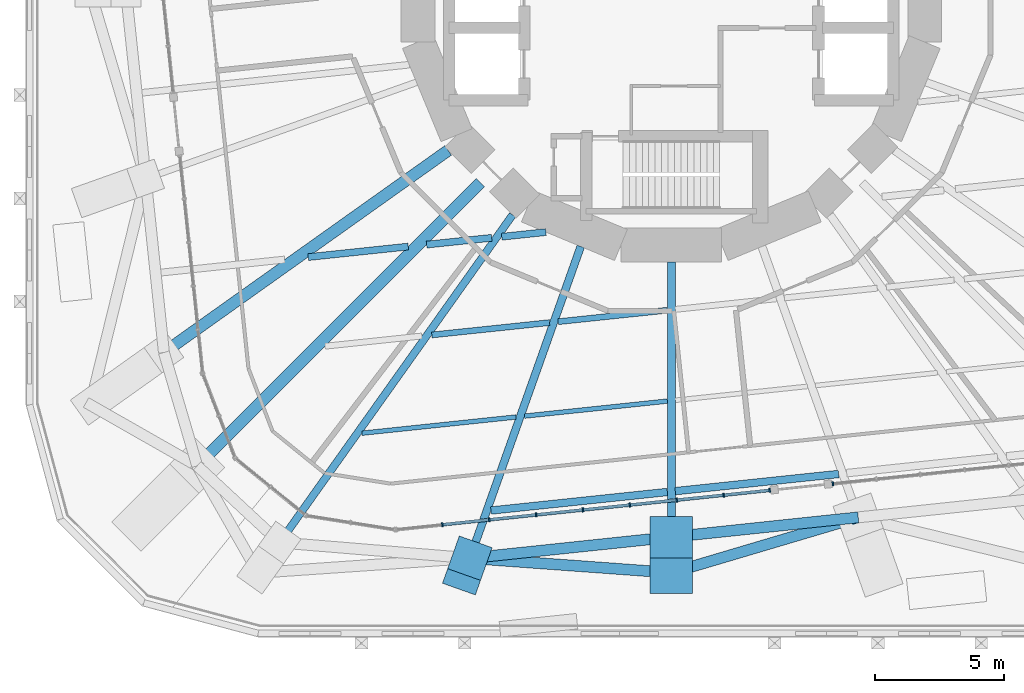
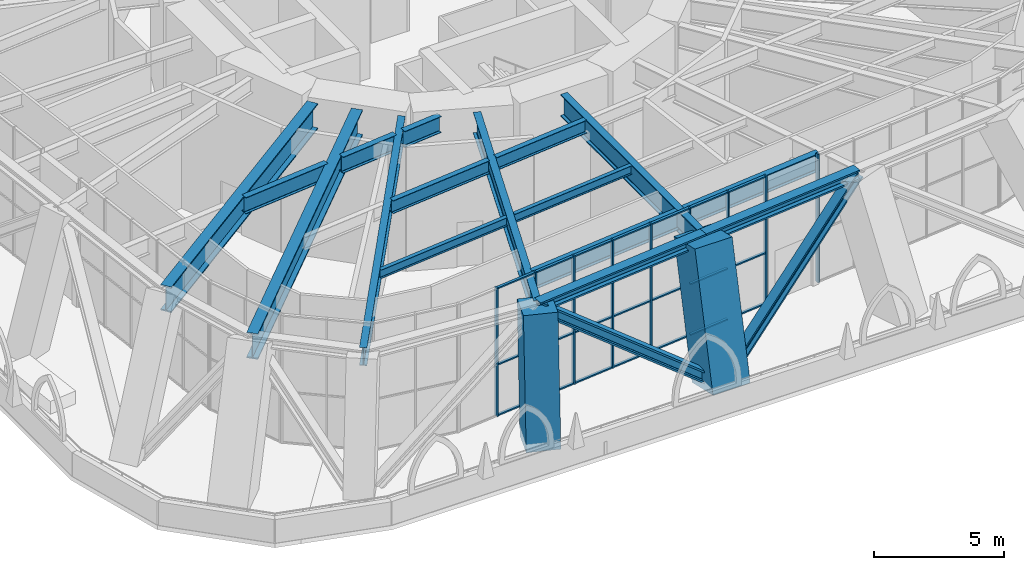
# One storey, part 2 of 20: 36 members, 14 beams, 2 elements without a shape of their own.
"""IFC4 building model written with IfcOpenShell, lengths in metres."""

from ifc_helpers import new_model, si_unit, direction, frame, origin, origin_2d, place, context, subcontext, project, spatial, rectangle, i_section, extrude, material, material_profile, profile_set, type_object, element, aggregate, save


model = new_model("IFC4")

# Units and contexts
model_context = context("Model", 3, precision=1e-05, world=origin(), true_north=direction((0.0, 1.0)))
body_context = subcontext(model_context, "Body", "Model", "MODEL_VIEW")
ifc_project = project(units=[si_unit("LENGTHUNIT", "METRE"), si_unit("AREAUNIT", "SQUARE_METRE"), si_unit("VOLUMEUNIT", "CUBIC_METRE"), si_unit("PLANEANGLEUNIT", "RADIAN"), si_unit("MASSUNIT", "GRAM", prefix="KILO")], contexts=[model_context])

# Site, building, storey
site_placement = place(None, origin())
site = spatial("IfcSite", under=ifc_project, at=site_placement, CompositionType="ELEMENT")
building_placement = place(site_placement, origin())
building = spatial("IfcBuilding", under=site, at=building_placement, Name="Nakasero Lantern House", CompositionType="ELEMENT")
storey_placement = place(building_placement, frame((0.0, 0.0, 54.5)))
storey = spatial("IfcBuildingStorey", under=building, at=storey_placement, Name="L13", CompositionType="ELEMENT", Elevation=54.5)

# Members
ifc_material_1 = material(Name="Steel S355", Category="steel")
ifc_material_profile_1 = material_profile(ifc_material_1, i_section(OverallWidth=0.424072265625, OverallDepth=0.474609375, WebThickness=0.047607421875, FlangeThickness=0.076904296875, FilletRadius=0.01513671875, at=origin_2d()), Name="UC 356x406x634")
ifc_profile_set_1 = profile_set([ifc_material_profile_1], Name="Steel S355")
member_type_1 = type_object("IfcMemberType", Name="Belt truss chord UC 356x406x634", PredefinedType="CHORD", material=ifc_profile_set_1)
member_1_placement = place(storey_placement, frame((-7.79931640625, -21.935302734375, 5.562744140625), z_axis=(0.994524030789, 0.104508144098, 0.0), x_axis=(-0.104508144098, 0.994524030789, 0.0)))
element("IfcMember", 1, at=member_1_placement, inside=storey, type_object=member_type_1, Name="Belt truss top chord T1 B2-C20T", PredefinedType="CHORD", context=body_context, shape_type="SweptSolid", body=[
    extrude(i_section(OverallWidth=0.424072265625, OverallDepth=0.474609375, WebThickness=0.047607421875, FlangeThickness=0.076904296875, FilletRadius=0.01513671875, at=origin_2d()), origin(), (0.0, 0.0, 1.0), 7.84228515625),
])
member_2_placement = place(storey_placement, frame((0.0, -21.11572265625, 5.562744140625), z_axis=(0.994520883746, 0.104538087767, 0.0), x_axis=(-0.104538087767, 0.994520883746, 0.0)))
element("IfcMember", 2, at=member_2_placement, inside=storey, type_object=member_type_1, Name="Belt truss top chord T1 B2-C21T", PredefinedType="CHORD", context=body_context, shape_type="SweptSolid", body=[
    extrude(i_section(OverallWidth=0.424072265625, OverallDepth=0.474609375, WebThickness=0.047607421875, FlangeThickness=0.076904296875, FilletRadius=0.01513671875, at=origin_2d()), origin(), (0.0, 0.0, 1.0), 7.277099609375),
])
ifc_material_2 = material(Name="Steel S355", Category="steel")
ifc_material_profile_2 = material_profile(ifc_material_2, i_section(OverallWidth=0.424072265625, OverallDepth=0.474609375, WebThickness=0.047607421875, FlangeThickness=0.076904296875, FilletRadius=0.01513671875, at=origin_2d()), Name="UC 356x406x634")
ifc_profile_set_2 = profile_set([ifc_material_profile_2], Name="Steel S355")
member_type_2 = type_object("IfcMemberType", Name="Belt truss diagonal UC 356x406x634", PredefinedType="BRACE", material=ifc_profile_set_2)
member_3_placement = place(storey_placement, frame((-7.79931640625, -21.935302734375, 5.562744140625), z_axis=(0.791296266905, -0.057292564495, -0.608742786435), x_axis=(0.072214395008, 0.997389132262, 0.0)))
element("IfcMember", 3, at=member_3_placement, inside=storey, type_object=member_type_2, Name="Belt truss diagonal T1-20", PredefinedType="BRACE", context=body_context, shape_type="SweptSolid", body=[
    extrude(i_section(OverallWidth=0.424072265625, OverallDepth=0.474609375, WebThickness=0.047607421875, FlangeThickness=0.076904296875, FilletRadius=0.01513671875, at=origin_2d()), origin(), (0.0, 0.0, 1.0), 9.8564453125),
])
member_4_placement = place(storey_placement, frame((0.0, -22.5, -0.437255859375), z_axis=(0.750555504749, 0.222452457992, 0.622238971958), x_axis=(-0.284165413553, 0.958775269675, 0.0)))
element("IfcMember", 4, at=member_4_placement, inside=storey, type_object=member_type_2, Name="Belt truss diagonal T1-21", PredefinedType="BRACE", context=body_context, shape_type="SweptSolid", body=[
    extrude(i_section(OverallWidth=0.424072265625, OverallDepth=0.474609375, WebThickness=0.047607421875, FlangeThickness=0.076904296875, FilletRadius=0.01513671875, at=origin_2d()), origin(), (0.0, 0.0, 1.0), 9.642578125),
])

# Beams
ifc_material_3 = material(Name="Steel S355", Category="steel")
ifc_material_profile_3 = material_profile(ifc_material_3, i_section(OverallWidth=0.177978515625, OverallDepth=0.406494140625, WebThickness=0.0078125, FlangeThickness=0.0126953125, FilletRadius=0.01025390625, at=origin_2d()), Name="UB 406x178x60")
ifc_profile_set_3 = profile_set([ifc_material_profile_3], Name="Steel S355")
beam_type_1 = type_object("IfcBeamType", Name="Infill beam UB 406x178x60", PredefinedType="JOIST", material=ifc_profile_set_3)
beam_1_placement = place(storey_placement, frame((-11.9775390625, -17.095703125, 5.5966796875), z_axis=(0.994521729164, 0.104530044579, 0.0), x_axis=(-0.104530044579, 0.994521729164, 0.0)))
element("IfcBeam", 5, at=beam_1_placement, inside=storey, type_object=beam_type_1, Name="Infill beam L14 03.1", PredefinedType="JOIST", context=body_context, shape_type="SweptSolid", body=[
    extrude(i_section(OverallWidth=0.177978515625, OverallDepth=0.406494140625, WebThickness=0.0078125, FlangeThickness=0.0126953125, FilletRadius=0.01025390625, at=origin_2d()), origin(), (0.0, 0.0, 1.0), 5.99560546875),
])
beam_2_placement = place(storey_placement, frame((-5.68408203125, -16.43408203125, 5.5966796875), z_axis=(0.994523477097, 0.104513413028, 0.0), x_axis=(-0.104513413028, 0.994523477097, 0.0)))
element("IfcBeam", 6, at=beam_2_placement, inside=storey, type_object=beam_type_1, Name="Infill beam L14 03.2", PredefinedType="JOIST", context=body_context, shape_type="SweptSolid", body=[
    extrude(i_section(OverallWidth=0.177978515625, OverallDepth=0.406494140625, WebThickness=0.0078125, FlangeThickness=0.0126953125, FilletRadius=0.01025390625, at=origin_2d()), origin(), (0.0, 0.0, 1.0), 5.56201171875),
])
ifc_material_4 = material(Name="Steel S355", Category="steel")
ifc_material_profile_4 = material_profile(ifc_material_4, i_section(OverallWidth=0.22900390625, OverallDepth=0.6123046875, WebThickness=0.011962890625, FlangeThickness=0.01953125, FilletRadius=0.0126953125, at=origin_2d()), Name="UB 610x229x125")
ifc_profile_set_4 = profile_set([ifc_material_profile_4], Name="Steel S355")
beam_type_2 = type_object("IfcBeamType", Name="Infill beam UB 610x229x125", PredefinedType="JOIST", material=ifc_profile_set_4)
beam_3_placement = place(storey_placement, frame((-9.272705078125, -13.2919921875, 5.493896484375), z_axis=(0.994522952874, 0.104518401282, 0.0), x_axis=(-0.104518401282, 0.994522952874, 0.0)))
element("IfcBeam", 7, at=beam_3_placement, inside=storey, type_object=beam_type_2, Name="Infill beam L14 04.2", PredefinedType="JOIST", context=body_context, shape_type="SweptSolid", body=[
    extrude(i_section(OverallWidth=0.22900390625, OverallDepth=0.6123046875, WebThickness=0.011962890625, FlangeThickness=0.01953125, FilletRadius=0.0126953125, at=origin_2d()), origin(), (0.0, 0.0, 1.0), 4.5830078125),
])
beam_4_placement = place(storey_placement, frame((-4.38427734375, -12.7783203125, 5.493896484375), z_axis=(0.994520533601, 0.104541418809, 0.0), x_axis=(-0.104541418809, 0.994520533601, 0.0)))
element("IfcBeam", 8, at=beam_4_placement, inside=storey, type_object=beam_type_2, Name="Infill beam L14 04.3", PredefinedType="JOIST", context=body_context, shape_type="SweptSolid", body=[
    extrude(i_section(OverallWidth=0.22900390625, OverallDepth=0.6123046875, WebThickness=0.011962890625, FlangeThickness=0.01953125, FilletRadius=0.0126953125, at=origin_2d()), origin(), (0.0, 0.0, 1.0), 4.2548828125),
])
ifc_material_5 = material(Name="Steel S355", Category="steel")
ifc_material_profile_5 = material_profile(ifc_material_5, i_section(OverallWidth=0.2666015625, OverallDepth=0.76220703125, WebThickness=0.014404296875, FlangeThickness=0.021484375, FilletRadius=0.0166015625, at=origin_2d()), Name="UB 762x267x173")
ifc_profile_set_5 = profile_set([ifc_material_profile_5], Name="Steel S355")
beam_type_3 = type_object("IfcBeamType", Name="Infill beam UB 762x267x173", PredefinedType="JOIST", material=ifc_profile_set_5)
beam_5_placement = place(storey_placement, frame((-14.062744140625, -10.2763671875, 5.4189453125), z_axis=(0.994518832336, 0.104557601963, 0.0), x_axis=(-0.104557601963, 0.994518832336, 0.0)))
element("IfcBeam", 9, at=beam_5_placement, inside=storey, type_object=beam_type_3, Name="Infill beam L14 05.2", PredefinedType="JOIST", context=body_context, shape_type="SweptSolid", body=[
    extrude(i_section(OverallWidth=0.2666015625, OverallDepth=0.76220703125, WebThickness=0.014404296875, FlangeThickness=0.021484375, FilletRadius=0.0166015625, at=origin_2d()), origin(), (0.0, 0.0, 1.0), 3.89697265625),
])
beam_6_placement = place(storey_placement, frame((-9.47607421875, -9.794189453125, 5.4189453125), z_axis=(0.994521805438, 0.10452931889, 0.0), x_axis=(-0.10452931889, 0.994521805438, 0.0)))
element("IfcBeam", 10, at=beam_6_placement, inside=storey, type_object=beam_type_3, Name="Infill beam L14 05.3", PredefinedType="JOIST", context=body_context, shape_type="SweptSolid", body=[
    extrude(i_section(OverallWidth=0.2666015625, OverallDepth=0.76220703125, WebThickness=0.014404296875, FlangeThickness=0.021484375, FilletRadius=0.0166015625, at=origin_2d()), origin(), (0.0, 0.0, 1.0), 2.5341796875),
])
beam_7_placement = place(storey_placement, frame((-6.568115234375, -9.488525390625, 5.4189453125), z_axis=(0.994529501552, 0.104456069922, 0.0), x_axis=(-0.104456069922, 0.994529501552, 0.0)))
element("IfcBeam", 11, at=beam_7_placement, inside=storey, type_object=beam_type_3, Name="Infill beam L14 05.4", PredefinedType="JOIST", context=body_context, shape_type="SweptSolid", body=[
    extrude(i_section(OverallWidth=0.2666015625, OverallDepth=0.76220703125, WebThickness=0.014404296875, FlangeThickness=0.021484375, FilletRadius=0.0166015625, at=origin_2d()), origin(), (0.0, 0.0, 1.0), 1.72265625),
])
ifc_material_6 = material(Name="Steel S355", Category="steel")
ifc_material_profile_6 = material_profile(ifc_material_6, i_section(OverallWidth=0.29248046875, OverallDepth=0.8408203125, WebThickness=0.0146484375, FlangeThickness=0.02685546875, FilletRadius=0.017822265625, at=origin_2d()), Name="UB 838x292x194")
ifc_profile_set_6 = profile_set([ifc_material_profile_6], Name="Steel S355")
beam_type_4 = type_object("IfcBeamType", Name="Infill beam UB 838x292x194", PredefinedType="JOIST", material=ifc_profile_set_6)
beam_8_placement = place(storey_placement, frame((-6.98388671875, -20.090087890625, 5.379638671875), z_axis=(0.994521605712, 0.104531219127, 0.0), x_axis=(-0.104531219127, 0.994521605712, 0.0)))
element("IfcBeam", 12, at=beam_8_placement, inside=storey, type_object=beam_type_4, Name="Infill beam L14 02.1", PredefinedType="JOIST", context=body_context, shape_type="SweptSolid", body=[
    extrude(i_section(OverallWidth=0.29248046875, OverallDepth=0.8408203125, WebThickness=0.0146484375, FlangeThickness=0.02685546875, FilletRadius=0.017822265625, at=origin_2d()), origin(), (0.0, 0.0, 1.0), 6.868896484375),
])
beam_9_placement = place(storey_placement, frame((0.152587890625, -19.340087890625, 5.379638671875), z_axis=(0.994519539778, 0.104550872783, 0.0), x_axis=(-0.104550872783, 0.994519539778, 0.0)))
element("IfcBeam", 13, at=beam_9_placement, inside=storey, type_object=beam_type_4, Name="Infill beam L14 02.2", PredefinedType="JOIST", context=body_context, shape_type="SweptSolid", body=[
    extrude(i_section(OverallWidth=0.29248046875, OverallDepth=0.8408203125, WebThickness=0.0146484375, FlangeThickness=0.02685546875, FilletRadius=0.017822265625, at=origin_2d()), origin(), (0.0, 0.0, 1.0), 6.358642578125),
])

# Curtain wall, members
ifc_material_7 = material(Name="Aluminium 6063-T6 and glass", Category="aluminium")
curtain_wall_type = type_object("IfcCurtainWallType", Name="Sky lounge glazing CW-3", PredefinedType="USERDEFINED", material=ifc_material_7)
curtain_wall_1_placement = place(storey_placement, origin())
curtain_wall_1 = element("IfcCurtainWall", 14, at=curtain_wall_1_placement, inside=storey, type_object=curtain_wall_type, Name="Curtain wall CW-3 L13", ObjectType="STICK CURTAIN WALL", PredefinedType="USERDEFINED")
ifc_material_8 = material(Name="Aluminium 6063-T6", Category="aluminium")
ifc_material_profile_7 = material_profile(ifc_material_8, rectangle(XDim=0.06005859375, YDim=0.159912109375, at=origin_2d()), Name="CW-3 mullion 60x160")
ifc_profile_set_7 = profile_set([ifc_material_profile_7], Name="Aluminium 6063-T6")
member_type_3 = type_object("IfcMemberType", Name="Mullion CW-3", PredefinedType="MULLION", material=ifc_profile_set_7)
member_5_placement = place(storey_placement, frame((-8.8662109375, -20.638916015625, 0.0), z_axis=(0.0, 0.0, 1.0), x_axis=(0.994521895368, 0.104528463268, 0.0)))
member_5 = element("IfcMember", 15, at=member_5_placement, type_object=member_type_3, Name="CW-3 mullion 2", PredefinedType="MULLION", context=body_context, shape_type="SweptSolid", body=[
    extrude(rectangle(XDim=0.06005859375, YDim=0.159912109375, at=origin_2d()), origin(), (0.0, 0.0, 1.0), 6.0),
])
member_6_placement = place(storey_placement, frame((-7.05126953125, -20.447998046875, 0.0), z_axis=(0.0, 0.0, 1.0), x_axis=(0.994521895368, 0.104528463268, 0.0)))
member_6 = element("IfcMember", 16, at=member_6_placement, type_object=member_type_3, Name="CW-3 mullion 3", PredefinedType="MULLION", context=body_context, shape_type="SweptSolid", body=[
    extrude(rectangle(XDim=0.06005859375, YDim=0.159912109375, at=origin_2d()), origin(), (0.0, 0.0, 1.0), 6.0),
])
member_7_placement = place(storey_placement, frame((-5.236328125, -20.25732421875, 0.0), z_axis=(0.0, 0.0, 1.0), x_axis=(0.994521895368, 0.104528463268, 0.0)))
member_7 = element("IfcMember", 17, at=member_7_placement, type_object=member_type_3, Name="CW-3 mullion 4", PredefinedType="MULLION", context=body_context, shape_type="SweptSolid", body=[
    extrude(rectangle(XDim=0.06005859375, YDim=0.159912109375, at=origin_2d()), origin(), (0.0, 0.0, 1.0), 6.0),
])
member_8_placement = place(storey_placement, frame((-3.421142578125, -20.066650390625, 0.0), z_axis=(0.0, 0.0, 1.0), x_axis=(0.994521895368, 0.104528463268, 0.0)))
member_8 = element("IfcMember", 18, at=member_8_placement, type_object=member_type_3, Name="CW-3 mullion 5", PredefinedType="MULLION", context=body_context, shape_type="SweptSolid", body=[
    extrude(rectangle(XDim=0.06005859375, YDim=0.159912109375, at=origin_2d()), origin(), (0.0, 0.0, 1.0), 6.0),
])
member_9_placement = place(storey_placement, frame((-1.606201171875, -19.875732421875, 0.0), z_axis=(0.0, 0.0, 1.0), x_axis=(0.994521895368, 0.104528463268, 0.0)))
member_9 = element("IfcMember", 19, at=member_9_placement, type_object=member_type_3, Name="CW-3 mullion 6", PredefinedType="MULLION", context=body_context, shape_type="SweptSolid", body=[
    extrude(rectangle(XDim=0.06005859375, YDim=0.159912109375, at=origin_2d()), origin(), (0.0, 0.0, 1.0), 6.0),
])
member_10_placement = place(storey_placement, frame((0.208740234375, -19.68505859375, 0.0), z_axis=(0.0, 0.0, 1.0), x_axis=(0.994521895368, 0.104528463268, 0.0)))
member_10 = element("IfcMember", 20, at=member_10_placement, type_object=member_type_3, Name="CW-3 mullion 7", PredefinedType="MULLION", context=body_context, shape_type="SweptSolid", body=[
    extrude(rectangle(XDim=0.06005859375, YDim=0.159912109375, at=origin_2d()), origin(), (0.0, 0.0, 1.0), 6.0),
])
member_11_placement = place(storey_placement, frame((2.023681640625, -19.494140625, 0.0), z_axis=(0.0, 0.0, 1.0), x_axis=(0.994521895368, 0.104528463268, 0.0)))
member_11 = element("IfcMember", 21, at=member_11_placement, type_object=member_type_3, Name="CW-3 mullion 8", PredefinedType="MULLION", context=body_context, shape_type="SweptSolid", body=[
    extrude(rectangle(XDim=0.06005859375, YDim=0.159912109375, at=origin_2d()), origin(), (0.0, 0.0, 1.0), 6.0),
])
member_12_placement = place(storey_placement, frame((3.808837890625, -19.306640625, 0.0), z_axis=(0.0, 0.0, 1.0), x_axis=(0.994521895368, 0.104528463268, 0.0)))
member_12 = element("IfcMember", 22, at=member_12_placement, type_object=member_type_3, Name="CW-3 mullion 9", PredefinedType="MULLION", context=body_context, shape_type="SweptSolid", body=[
    extrude(rectangle(XDim=0.06005859375, YDim=0.159912109375, at=origin_2d()), origin(), (0.0, 0.0, 1.0), 6.0),
])

# Curtain wall, member
curtain_wall_2_placement = place(storey_placement, origin())
curtain_wall_2 = element("IfcCurtainWall", 23, at=curtain_wall_2_placement, inside=storey, type_object=curtain_wall_type, Name="Curtain wall CW-3 L13", ObjectType="STICK CURTAIN WALL", PredefinedType="USERDEFINED")
member_13_placement = place(storey_placement, frame((6.25537109375, -19.049560546875, 0.0), z_axis=(0.0, 0.0, 1.0), x_axis=(0.994521895368, 0.104528463268, 0.0)))
member_13 = element("IfcMember", 24, at=member_13_placement, type_object=member_type_3, Name="CW-3 mullion 1", PredefinedType="MULLION", context=body_context, shape_type="SweptSolid", body=[
    extrude(rectangle(XDim=0.06005859375, YDim=0.159912109375, at=origin_2d()), origin(), (0.0, 0.0, 1.0), 6.0),
])
aggregate(curtain_wall_2, [member_13])

# Beams
ifc_material_9 = material(Name="Steel S355", Category="steel")
ifc_material_profile_8 = material_profile(ifc_material_9, i_section(OverallWidth=0.449951171875, OverallDepth=1.199951171875, WebThickness=0.02490234375, FlangeThickness=0.06005859375, at=origin_2d()), Name="PG 1200x450x636")
ifc_profile_set_8 = profile_set([ifc_material_profile_8], Name="Steel S355")
beam_type_5 = type_object("IfcBeamType", Name="Primary beam PG 1200x450x636, span 12 to 15 m", PredefinedType="BEAM", material=ifc_profile_set_8)
beam_10_placement = place(storey_placement, frame((-19.647216796875, -13.971435546875, 5.199951171875), z_axis=(0.814948492976, 0.579533393168, 0.0), x_axis=(-0.579533393168, 0.814948492976, 0.0)))
element("IfcBeam", 25, at=beam_10_placement, inside=storey, type_object=beam_type_5, Name="Primary beam L14 B2-C17T", PredefinedType="BEAM", context=body_context, shape_type="SweptSolid", body=[
    extrude(i_section(OverallWidth=0.449951171875, OverallDepth=1.199951171875, WebThickness=0.02490234375, FlangeThickness=0.06005859375, at=origin_2d()), origin(), (0.0, 0.0, 1.0), 13.502685546875),
])
ifc_material_10 = material(Name="Steel S355", Category="steel")
ifc_material_profile_9 = material_profile(ifc_material_10, i_section(OverallWidth=0.449951171875, OverallDepth=1.199951171875, WebThickness=0.02490234375, FlangeThickness=0.06005859375, at=origin_2d()), Name="PG 1200x450x636")
ifc_profile_set_9 = profile_set([ifc_material_profile_9], Name="Steel S355")
beam_type_6 = type_object("IfcBeamType", Name="Primary beam PG 1200x450x636, span over 15 m", PredefinedType="BEAM", material=ifc_profile_set_9)
beam_11_placement = place(storey_placement, frame((-18.359375, -18.359375, 5.199951171875), z_axis=(0.707106781187, 0.707106781187, 0.0), x_axis=(-0.707106781187, 0.707106781187, 0.0)))
element("IfcBeam", 26, at=beam_11_placement, inside=storey, type_object=beam_type_6, Name="Primary beam L14 B2-C18T", PredefinedType="BEAM", context=body_context, shape_type="SweptSolid", body=[
    extrude(i_section(OverallWidth=0.449951171875, OverallDepth=1.199951171875, WebThickness=0.02490234375, FlangeThickness=0.06005859375, at=origin_2d()), origin(), (0.0, 0.0, 1.0), 15.50634765625),
])
ifc_material_11 = material(Name="Steel S355", Category="steel")
ifc_material_profile_10 = material_profile(ifc_material_11, i_section(OverallWidth=0.300048828125, OverallDepth=0.97998046875, WebThickness=0.0166015625, FlangeThickness=0.02587890625, FilletRadius=0.030029296875, at=origin_2d()), Name="UB 1016x305x249")
ifc_profile_set_10 = profile_set([ifc_material_profile_10], Name="Steel S355")
beam_type_7 = type_object("IfcBeamType", Name="Primary beam UB 1016x305x249, span 12 to 15 m", PredefinedType="BEAM", material=ifc_profile_set_10)
beam_12_placement = place(storey_placement, frame((-7.79931640625, -21.935302734375, 5.31005859375), z_axis=(0.335017564047, 0.942211882636, 0.0), x_axis=(-0.942211882636, 0.335017564047, 0.0)))
element("IfcBeam", 27, at=beam_12_placement, inside=storey, type_object=beam_type_7, Name="Primary beam L14 B2-C20T", PredefinedType="BEAM", context=body_context, shape_type="SweptSolid", body=[
    extrude(i_section(OverallWidth=0.300048828125, OverallDepth=0.97998046875, WebThickness=0.0166015625, FlangeThickness=0.02587890625, FilletRadius=0.030029296875, at=origin_2d()), origin(), (0.0, 0.0, 1.0), 12.80908203125),
])
ifc_material_12 = material(Name="Steel S355", Category="steel")
ifc_material_profile_11 = material_profile(ifc_material_12, i_section(OverallWidth=0.305419921875, OverallDepth=1.026123046875, WebThickness=0.02685546875, FlangeThickness=0.049072265625, FilletRadius=0.030029296875, at=origin_2d()), Name="UB 1016x305x437")
ifc_profile_set_11 = profile_set([ifc_material_profile_11], Name="Steel S355")
beam_type_8 = type_object("IfcBeamType", Name="Primary beam UB 1016x305x437, span 9 to 12 m", PredefinedType="BEAM", material=ifc_profile_set_11)
beam_13_placement = place(storey_placement, frame((0.0, -21.11572265625, 5.286865234375), z_axis=(0.0, 1.0, 0.0), x_axis=(-1.0, 0.0, 0.0)))
element("IfcBeam", 28, at=beam_13_placement, inside=storey, type_object=beam_type_8, Name="Primary beam L14 B2-C21T", PredefinedType="BEAM", context=body_context, shape_type="SweptSolid", body=[
    extrude(i_section(OverallWidth=0.305419921875, OverallDepth=1.026123046875, WebThickness=0.02685546875, FlangeThickness=0.049072265625, FilletRadius=0.030029296875, at=origin_2d()), origin(), (0.0, 0.0, 1.0), 10.657958984375),
])
ifc_material_13 = material(Name="Steel S355", Category="steel")
ifc_material_profile_12 = material_profile(ifc_material_13, i_section(OverallWidth=0.29248046875, OverallDepth=0.8408203125, WebThickness=0.0146484375, FlangeThickness=0.02685546875, FilletRadius=0.017822265625, at=origin_2d()), Name="UB 838x292x194")
ifc_profile_set_12 = profile_set([ifc_material_profile_12], Name="Steel S355")
beam_type_9 = type_object("IfcBeamType", Name="Primary beam UB 838x292x194, span over 15 m", PredefinedType="BEAM", material=ifc_profile_set_12)
beam_14_placement = place(storey_placement, frame((-15.16650390625, -21.327880859375, 5.379638671875), z_axis=(0.57952911085, 0.814951538239, 0.0), x_axis=(-0.814951538239, 0.57952911085, 0.0)))
element("IfcBeam", 29, at=beam_14_placement, inside=storey, type_object=beam_type_9, Name="Primary beam L14 B2-C19T", PredefinedType="BEAM", context=body_context, shape_type="SweptSolid", body=[
    extrude(i_section(OverallWidth=0.29248046875, OverallDepth=0.8408203125, WebThickness=0.0146484375, FlangeThickness=0.02685546875, FilletRadius=0.017822265625, at=origin_2d()), origin(), (0.0, 0.0, 1.0), 15.564697265625),
])

# Members
ifc_material_14 = material(Name="Concrete C50/60", Category="concrete")
ifc_material_profile_13 = material_profile(ifc_material_14, rectangle(XDim=1.35009765625, YDim=1.35009765625, at=origin_2d()), Name="RC 1350x1350")
ifc_profile_set_13 = profile_set([ifc_material_profile_13], Name="Concrete C50/60")
member_type_4 = type_object("IfcMemberType", Name="Raking column RC 1350x1350 C50/60", PredefinedType="STRUT", material=ifc_profile_set_13)
member_14_placement = place(storey_placement, frame((-8.0, -22.5, -0.437255859375), z_axis=(0.033281659067, 0.093650215843, 0.995048726567), x_axis=(-0.942266114932, 0.334865000637, 0.0)))
element("IfcMember", 30, at=member_14_placement, inside=storey, type_object=member_type_4, Name="Raking column B2-C20T L13", PredefinedType="STRUT", context=body_context, shape_type="SweptSolid", body=[
    extrude(rectangle(XDim=1.35009765625, YDim=1.35009765625, at=origin_2d()), origin(), (0.0, 0.0, 1.0), 6.02978515625),
])
ifc_material_15 = material(Name="Concrete C50/60", Category="concrete")
ifc_material_profile_14 = material_profile(ifc_material_15, rectangle(XDim=1.64990234375, YDim=1.64990234375, at=origin_2d()), Name="RC 1650x1650")
ifc_profile_set_14 = profile_set([ifc_material_profile_14], Name="Concrete C50/60")
member_type_5 = type_object("IfcMemberType", Name="Raking column RC 1650x1650 C50/60", PredefinedType="STRUT", material=ifc_profile_set_14)
member_15_placement = place(storey_placement, frame((0.0, -22.5, -0.437255859375), z_axis=(0.0, 0.224807384101, 0.974403222518), x_axis=(-1.0, 0.0, 0.0)))
element("IfcMember", 31, at=member_15_placement, inside=storey, type_object=member_type_5, Name="Raking column B2-C21T L13", PredefinedType="STRUT", context=body_context, shape_type="SweptSolid", body=[
    extrude(rectangle(XDim=1.64990234375, YDim=1.64990234375, at=origin_2d()), origin(), (0.0, 0.0, 1.0), 6.15771484375),
])

# Member
ifc_material_16 = material(Name="Aluminium 6063-T6", Category="aluminium")
ifc_material_profile_15 = material_profile(ifc_material_16, rectangle(XDim=0.06005859375, YDim=0.1201171875, at=origin_2d()), Name="CW-3 transom 60x120")
ifc_profile_set_15 = profile_set([ifc_material_profile_15], Name="Aluminium 6063-T6")
member_type_6 = type_object("IfcMemberType", Name="Transom CW-3", PredefinedType="USERDEFINED", material=ifc_profile_set_15)
member_16_placement = place(storey_placement, frame((-8.83642578125, -20.6357421875, 0.030029296875), z_axis=(0.994517572894, 0.104569580683, 0.0), x_axis=(0.0, 0.0, 1.0)))
member_16 = element("IfcMember", 32, at=member_16_placement, type_object=member_type_6, Name="CW-3 transom 2.1", ObjectType="TRANSOM", PredefinedType="USERDEFINED", context=body_context, shape_type="SweptSolid", body=[
    extrude(rectangle(XDim=0.06005859375, YDim=0.1201171875, at=origin_2d()), origin(), (0.0, 0.0, 1.0), 1.76513671875),
])

member_17_placement = place(storey_placement, frame((-8.83642578125, -20.6357421875, 2.39990234375), z_axis=(0.994517572894, 0.104569580683, 0.0), x_axis=(0.0, 0.0, 1.0)))
member_17 = element("IfcMember", 33, at=member_17_placement, type_object=member_type_6, Name="CW-3 transom 2.2", ObjectType="TRANSOM", PredefinedType="USERDEFINED", context=body_context, shape_type="SweptSolid", body=[
    extrude(rectangle(XDim=0.06005859375, YDim=0.1201171875, at=origin_2d()), origin(), (0.0, 0.0, 1.0), 1.76513671875),
])

member_18_placement = place(storey_placement, frame((-8.83642578125, -20.6357421875, 5.969970703125), z_axis=(0.994517572894, 0.104569580683, 0.0), x_axis=(0.0, 0.0, 1.0)))
member_18 = element("IfcMember", 34, at=member_18_placement, type_object=member_type_6, Name="CW-3 transom 2.3", ObjectType="TRANSOM", PredefinedType="USERDEFINED", context=body_context, shape_type="SweptSolid", body=[
    extrude(rectangle(XDim=0.06005859375, YDim=0.1201171875, at=origin_2d()), origin(), (0.0, 0.0, 1.0), 1.76513671875),
])

member_19_placement = place(storey_placement, frame((-7.021484375, -20.44482421875, 0.030029296875), z_axis=(0.994531948412, 0.104432770661, 0.0), x_axis=(0.0, 0.0, 1.0)))
member_19 = element("IfcMember", 35, at=member_19_placement, type_object=member_type_6, Name="CW-3 transom 3.1", ObjectType="TRANSOM", PredefinedType="USERDEFINED", context=body_context, shape_type="SweptSolid", body=[
    extrude(rectangle(XDim=0.06005859375, YDim=0.1201171875, at=origin_2d()), origin(), (0.0, 0.0, 1.0), 1.76513671875),
])

member_20_placement = place(storey_placement, frame((-7.021484375, -20.44482421875, 2.39990234375), z_axis=(0.994531948412, 0.104432770661, 0.0), x_axis=(0.0, 0.0, 1.0)))
member_20 = element("IfcMember", 36, at=member_20_placement, type_object=member_type_6, Name="CW-3 transom 3.2", ObjectType="TRANSOM", PredefinedType="USERDEFINED", context=body_context, shape_type="SweptSolid", body=[
    extrude(rectangle(XDim=0.06005859375, YDim=0.1201171875, at=origin_2d()), origin(), (0.0, 0.0, 1.0), 1.76513671875),
])

member_21_placement = place(storey_placement, frame((-7.021484375, -20.44482421875, 5.969970703125), z_axis=(0.994531948412, 0.104432770661, 0.0), x_axis=(0.0, 0.0, 1.0)))
member_21 = element("IfcMember", 37, at=member_21_placement, type_object=member_type_6, Name="CW-3 transom 3.3", ObjectType="TRANSOM", PredefinedType="USERDEFINED", context=body_context, shape_type="SweptSolid", body=[
    extrude(rectangle(XDim=0.06005859375, YDim=0.1201171875, at=origin_2d()), origin(), (0.0, 0.0, 1.0), 1.76513671875),
])

member_22_placement = place(storey_placement, frame((-5.206298828125, -20.254150390625, 0.030029296875), z_axis=(0.994516060086, 0.10458396737, 0.0), x_axis=(0.0, 0.0, 1.0)))
member_22 = element("IfcMember", 38, at=member_22_placement, type_object=member_type_6, Name="CW-3 transom 4.1", ObjectType="TRANSOM", PredefinedType="USERDEFINED", context=body_context, shape_type="SweptSolid", body=[
    extrude(rectangle(XDim=0.06005859375, YDim=0.1201171875, at=origin_2d()), origin(), (0.0, 0.0, 1.0), 1.764892578125),
])

member_23_placement = place(storey_placement, frame((-5.206298828125, -20.254150390625, 2.39990234375), z_axis=(0.994516060086, 0.10458396737, 0.0), x_axis=(0.0, 0.0, 1.0)))
member_23 = element("IfcMember", 39, at=member_23_placement, type_object=member_type_6, Name="CW-3 transom 4.2", ObjectType="TRANSOM", PredefinedType="USERDEFINED", context=body_context, shape_type="SweptSolid", body=[
    extrude(rectangle(XDim=0.06005859375, YDim=0.1201171875, at=origin_2d()), origin(), (0.0, 0.0, 1.0), 1.764892578125),
])

member_24_placement = place(storey_placement, frame((-5.206298828125, -20.254150390625, 5.969970703125), z_axis=(0.994516060086, 0.10458396737, 0.0), x_axis=(0.0, 0.0, 1.0)))
member_24 = element("IfcMember", 40, at=member_24_placement, type_object=member_type_6, Name="CW-3 transom 4.3", ObjectType="TRANSOM", PredefinedType="USERDEFINED", context=body_context, shape_type="SweptSolid", body=[
    extrude(rectangle(XDim=0.06005859375, YDim=0.1201171875, at=origin_2d()), origin(), (0.0, 0.0, 1.0), 1.764892578125),
])

member_25_placement = place(storey_placement, frame((-3.391357421875, -20.0634765625, 0.030029296875), z_axis=(0.994517572894, 0.104569580683, 0.0), x_axis=(0.0, 0.0, 1.0)))
member_25 = element("IfcMember", 41, at=member_25_placement, type_object=member_type_6, Name="CW-3 transom 5.1", ObjectType="TRANSOM", PredefinedType="USERDEFINED", context=body_context, shape_type="SweptSolid", body=[
    extrude(rectangle(XDim=0.06005859375, YDim=0.1201171875, at=origin_2d()), origin(), (0.0, 0.0, 1.0), 1.76513671875),
])

member_26_placement = place(storey_placement, frame((-3.391357421875, -20.0634765625, 2.39990234375), z_axis=(0.994517572894, 0.104569580683, 0.0), x_axis=(0.0, 0.0, 1.0)))
member_26 = element("IfcMember", 42, at=member_26_placement, type_object=member_type_6, Name="CW-3 transom 5.2", ObjectType="TRANSOM", PredefinedType="USERDEFINED", context=body_context, shape_type="SweptSolid", body=[
    extrude(rectangle(XDim=0.06005859375, YDim=0.1201171875, at=origin_2d()), origin(), (0.0, 0.0, 1.0), 1.76513671875),
])

member_27_placement = place(storey_placement, frame((-3.391357421875, -20.0634765625, 5.969970703125), z_axis=(0.994517572894, 0.104569580683, 0.0), x_axis=(0.0, 0.0, 1.0)))
member_27 = element("IfcMember", 43, at=member_27_placement, type_object=member_type_6, Name="CW-3 transom 5.3", ObjectType="TRANSOM", PredefinedType="USERDEFINED", context=body_context, shape_type="SweptSolid", body=[
    extrude(rectangle(XDim=0.06005859375, YDim=0.1201171875, at=origin_2d()), origin(), (0.0, 0.0, 1.0), 1.76513671875),
])

member_28_placement = place(storey_placement, frame((-1.576416015625, -19.87255859375, 0.030029296875), z_axis=(0.994531948412, 0.104432770661, 0.0), x_axis=(0.0, 0.0, 1.0)))
member_28 = element("IfcMember", 44, at=member_28_placement, type_object=member_type_6, Name="CW-3 transom 6.1", ObjectType="TRANSOM", PredefinedType="USERDEFINED", context=body_context, shape_type="SweptSolid", body=[
    extrude(rectangle(XDim=0.06005859375, YDim=0.1201171875, at=origin_2d()), origin(), (0.0, 0.0, 1.0), 1.76513671875),
])

member_29_placement = place(storey_placement, frame((-1.576416015625, -19.87255859375, 2.39990234375), z_axis=(0.994531948412, 0.104432770661, 0.0), x_axis=(0.0, 0.0, 1.0)))
member_29 = element("IfcMember", 45, at=member_29_placement, type_object=member_type_6, Name="CW-3 transom 6.2", ObjectType="TRANSOM", PredefinedType="USERDEFINED", context=body_context, shape_type="SweptSolid", body=[
    extrude(rectangle(XDim=0.06005859375, YDim=0.1201171875, at=origin_2d()), origin(), (0.0, 0.0, 1.0), 1.76513671875),
])

member_30_placement = place(storey_placement, frame((-1.576416015625, -19.87255859375, 5.969970703125), z_axis=(0.994531948412, 0.104432770661, 0.0), x_axis=(0.0, 0.0, 1.0)))
member_30 = element("IfcMember", 46, at=member_30_placement, type_object=member_type_6, Name="CW-3 transom 6.3", ObjectType="TRANSOM", PredefinedType="USERDEFINED", context=body_context, shape_type="SweptSolid", body=[
    extrude(rectangle(XDim=0.06005859375, YDim=0.1201171875, at=origin_2d()), origin(), (0.0, 0.0, 1.0), 1.76513671875),
])

member_31_placement = place(storey_placement, frame((0.238525390625, -19.681884765625, 0.030029296875), z_axis=(0.994517572894, 0.104569580683, 0.0), x_axis=(0.0, 0.0, 1.0)))
member_31 = element("IfcMember", 47, at=member_31_placement, type_object=member_type_6, Name="CW-3 transom 7.1", ObjectType="TRANSOM", PredefinedType="USERDEFINED", context=body_context, shape_type="SweptSolid", body=[
    extrude(rectangle(XDim=0.06005859375, YDim=0.1201171875, at=origin_2d()), origin(), (0.0, 0.0, 1.0), 1.76513671875),
])

member_32_placement = place(storey_placement, frame((0.238525390625, -19.681884765625, 2.39990234375), z_axis=(0.994517572894, 0.104569580683, 0.0), x_axis=(0.0, 0.0, 1.0)))
member_32 = element("IfcMember", 48, at=member_32_placement, type_object=member_type_6, Name="CW-3 transom 7.2", ObjectType="TRANSOM", PredefinedType="USERDEFINED", context=body_context, shape_type="SweptSolid", body=[
    extrude(rectangle(XDim=0.06005859375, YDim=0.1201171875, at=origin_2d()), origin(), (0.0, 0.0, 1.0), 1.76513671875),
])

member_33_placement = place(storey_placement, frame((0.238525390625, -19.681884765625, 5.969970703125), z_axis=(0.994517572894, 0.104569580683, 0.0), x_axis=(0.0, 0.0, 1.0)))
member_33 = element("IfcMember", 49, at=member_33_placement, type_object=member_type_6, Name="CW-3 transom 7.3", ObjectType="TRANSOM", PredefinedType="USERDEFINED", context=body_context, shape_type="SweptSolid", body=[
    extrude(rectangle(XDim=0.06005859375, YDim=0.1201171875, at=origin_2d()), origin(), (0.0, 0.0, 1.0), 1.76513671875),
])

member_34_placement = place(storey_placement, frame((2.0537109375, -19.4912109375, 0.030029296875), z_axis=(0.994518553952, 0.104560249835, 0.0), x_axis=(0.0, 0.0, 1.0)))
member_34 = element("IfcMember", 50, at=member_34_placement, type_object=member_type_6, Name="CW-3 transom 8.1", ObjectType="TRANSOM", PredefinedType="USERDEFINED", context=body_context, shape_type="SweptSolid", body=[
    extrude(rectangle(XDim=0.06005859375, YDim=0.1201171875, at=origin_2d()), origin(), (0.0, 0.0, 1.0), 1.73486328125),
])

member_35_placement = place(storey_placement, frame((2.0537109375, -19.4912109375, 2.39990234375), z_axis=(0.994518553952, 0.104560249835, 0.0), x_axis=(0.0, 0.0, 1.0)))
member_35 = element("IfcMember", 51, at=member_35_placement, type_object=member_type_6, Name="CW-3 transom 8.2", ObjectType="TRANSOM", PredefinedType="USERDEFINED", context=body_context, shape_type="SweptSolid", body=[
    extrude(rectangle(XDim=0.06005859375, YDim=0.1201171875, at=origin_2d()), origin(), (0.0, 0.0, 1.0), 1.73486328125),
])

member_36_placement = place(storey_placement, frame((2.0537109375, -19.4912109375, 5.969970703125), z_axis=(0.994518553952, 0.104560249835, 0.0), x_axis=(0.0, 0.0, 1.0)))
member_36 = element("IfcMember", 52, at=member_36_placement, type_object=member_type_6, Name="CW-3 transom 8.3", ObjectType="TRANSOM", PredefinedType="USERDEFINED", context=body_context, shape_type="SweptSolid", body=[
    extrude(rectangle(XDim=0.06005859375, YDim=0.1201171875, at=origin_2d()), origin(), (0.0, 0.0, 1.0), 1.73486328125),
])

aggregate(curtain_wall_1, [member_5, member_6, member_7, member_8, member_9, member_10, member_11, member_12, member_16, member_17, member_18, member_19, member_20, member_21, member_22, member_23, member_24, member_25, member_26, member_27, member_28, member_29, member_30, member_31, member_32, member_33, member_34, member_35, member_36])

save(model, "model.ifc")
